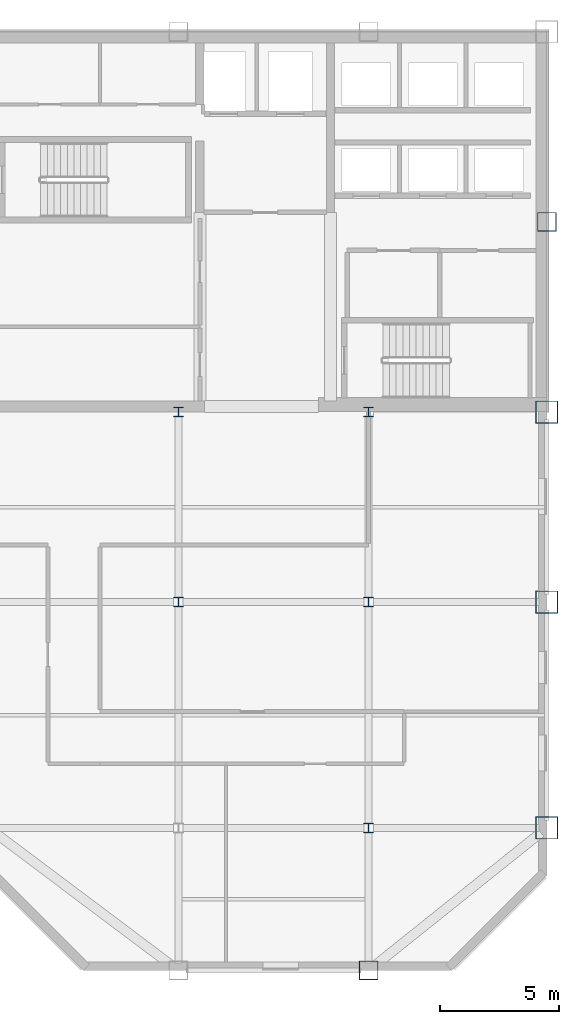
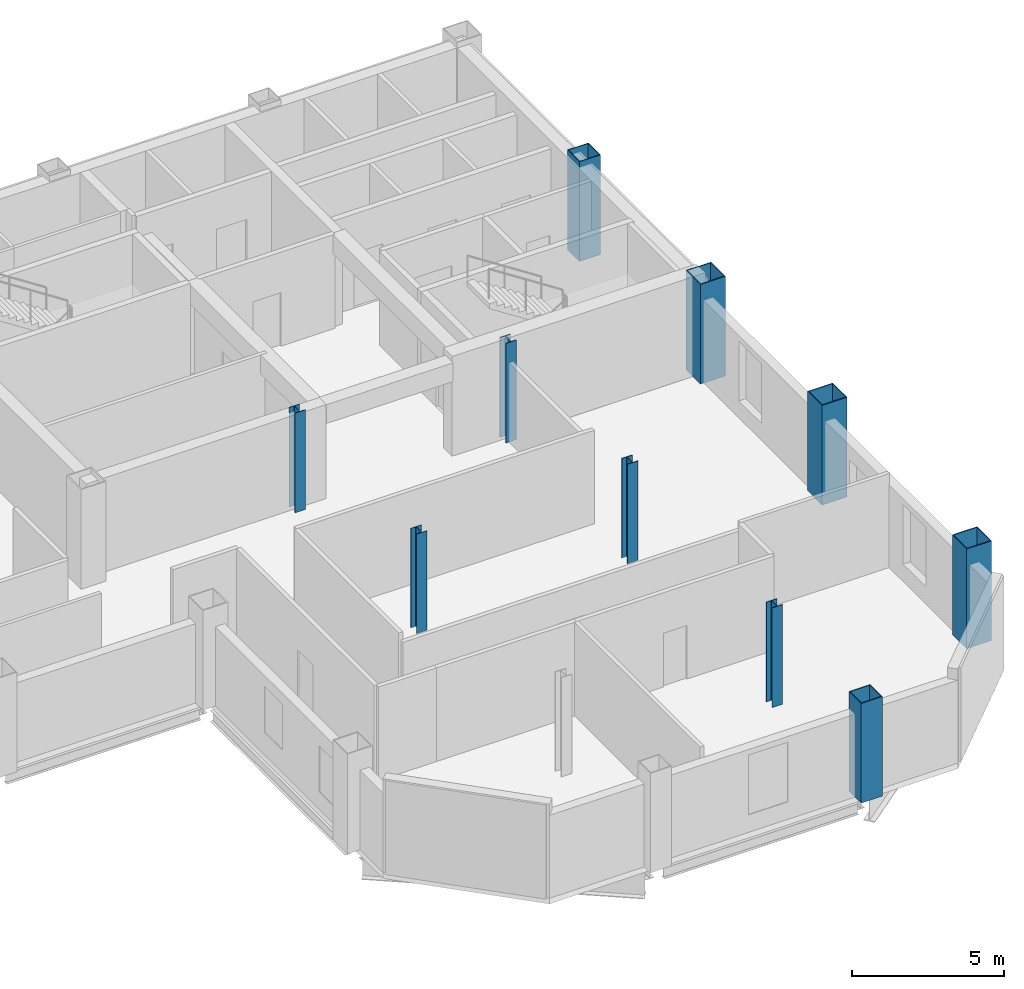
# One storey, part 2 of 10: 10 columns.
"""IFC4 building model written with IfcOpenShell, lengths in metres."""

import ifcopenshell
import ifcopenshell.guid

model = None  # the IFC model being written
_history = None  # IfcOwnerHistory: only IFC2X3 demands one
_inside = {}  # id of a spatial element -> (the spatial element, [elements in it])
_under = {}  # id of a project, library or spatial element -> (it, [spatial elements below it])
_declared = {}  # id of a project -> (the project, [libraries it declares])
_typed = {}  # id of a type object -> (the type object, [elements of that type])
_made_of = {}  # id of a material, layer set ... -> (it, [elements and type objects made of it])


def new_model(schema):
    """Start an empty IFC model of exactly this schema.

    Asked for "IFC4X3", IfcOpenShell would pick the latest addendum, in which some entities
    have other attributes; the version numbers below select the first issue.
    IFC2X3 requires an IfcOwnerHistory on every rooted entity: one is made here for all.
    """
    global model, _history
    if schema == "IFC4X3":
        model = ifcopenshell.file(schema_version=(4, 3, 0, 0))
    else:
        model = ifcopenshell.file(schema=schema)
    _inside.clear()
    _under.clear()
    _declared.clear()
    _typed.clear()
    _made_of.clear()
    _history = None
    if model.schema == "IFC2X3":
        org = make("IfcOrganization", Name="unknown")
        user = make(
            "IfcPersonAndOrganization",
            ThePerson=make("IfcPerson", FamilyName="unknown"),
            TheOrganization=org,
        )
        app = make(
            "IfcApplication",
            ApplicationDeveloper=org,
            Version="unknown",
            ApplicationFullName="unknown",
            ApplicationIdentifier="unknown",
        )
        _history = make(
            "IfcOwnerHistory",
            OwningUser=user,
            OwningApplication=app,
            ChangeAction="ADDED",
            CreationDate=0,
        )
    return model


def make(cls, **values):
    """One entity of the class cls with the attributes given. An attribute that is None is left unset."""
    return model.create_entity(
        cls, **{name: value for name, value in values.items() if value is not None}
    )


def rooted(cls, **values):
    """An entity with a GlobalId (a new one), such as an element, a storey or a relation."""
    return make(cls, GlobalId=ifcopenshell.guid.new(), OwnerHistory=_history, **values)


def si_unit(unit_type, name, prefix=None):
    """IfcSIUnit, for example si_unit("LENGTHUNIT", "METRE", prefix="MILLI")."""
    return make("IfcSIUnit", UnitType=unit_type, Prefix=prefix, Name=name)


def assignment(units):
    """IfcUnitAssignment: the units of a project."""
    return None if units is None else make("IfcUnitAssignment", Units=units)


def point(xyz):
    """IfcCartesianPoint."""
    return None if xyz is None else make("IfcCartesianPoint", Coordinates=xyz)


def direction(xyz):
    """IfcDirection."""
    return None if xyz is None else make("IfcDirection", DirectionRatios=xyz)


def frame(location, z_axis=None, x_axis=None):
    """IfcAxis2Placement3D, a coordinate frame: its origin and axes. An axis left out is left unset."""
    return make(
        "IfcAxis2Placement3D",
        Location=point(location),
        Axis=direction(z_axis),
        RefDirection=direction(x_axis),
    )


def frame_2d(location, x_axis=None):
    """IfcAxis2Placement2D, a coordinate frame in the plane: its origin and x axis."""
    return make(
        "IfcAxis2Placement2D", Location=point(location), RefDirection=direction(x_axis)
    )


def origin():
    """The frame at (0, 0, 0) with its axes left unset."""
    return frame((0.0, 0.0, 0.0))


def origin_2d():
    """The frame at (0, 0) in the plane with its x axis left unset."""
    return frame_2d((0.0, 0.0))


def place(relative_to, where):
    """IfcLocalPlacement: puts the frame where relative to a parent placement (None: the world)."""
    return make(
        "IfcLocalPlacement", PlacementRelTo=relative_to, RelativePlacement=where
    )


def context(
    kind, dimensions, precision=None, world=None, true_north=None, identifier=None
):
    """IfcGeometricRepresentationContext, for example the 3D "Model" context."""
    return make(
        "IfcGeometricRepresentationContext",
        ContextIdentifier=identifier,
        ContextType=kind,
        CoordinateSpaceDimension=dimensions,
        Precision=precision,
        WorldCoordinateSystem=world,
        TrueNorth=true_north,
    )


def subcontext(parent, identifier, kind, view, scale=None):
    """IfcGeometricRepresentationSubContext, for example "Body" below "Model"."""
    return make(
        "IfcGeometricRepresentationSubContext",
        ContextIdentifier=identifier,
        ContextType=kind,
        ParentContext=parent,
        TargetScale=scale,
        TargetView=view,
    )


def project(units=None, contexts=None):
    """IfcProject with its units and contexts."""
    return rooted(
        "IfcProject",
        Name="project",
        RepresentationContexts=contexts,
        UnitsInContext=assignment(units),
    )


def spatial(cls, under=None, at=None, **own):
    """A site, building, storey or space (cls), placed at a placement, below another one or the project."""
    s = rooted(cls, ObjectPlacement=at, **own)
    if under is not None:
        _under.setdefault(under.id(), (under, []))[1].append(s)
    return s


def profile(cls, at=None, kind="AREA", **sizes):
    """A parametric profile (cls). Its sizes go by their IFC names, for example OverallWidth=200.0."""
    return make(cls, ProfileType=kind, Position=at, **sizes)


def hollow_rectangle(**sizes):
    """IfcRectangleHollowProfileDef."""
    return profile("IfcRectangleHollowProfileDef", **sizes)


def i_section(**sizes):
    """IfcIShapeProfileDef."""
    return profile("IfcIShapeProfileDef", **sizes)


def extrude(swept, where, along, depth):
    """IfcExtrudedAreaSolid: the profile swept, set in the frame where, extruded along a direction by depth."""
    return make(
        "IfcExtrudedAreaSolid",
        SweptArea=swept,
        Position=where,
        ExtrudedDirection=direction(along),
        Depth=depth,
    )


def shape(context_of_items, identifier, shape_type, items):
    """IfcShapeRepresentation: the items that make up one representation, for example the "Body"."""
    return make(
        "IfcShapeRepresentation",
        ContextOfItems=context_of_items,
        RepresentationIdentifier=identifier,
        RepresentationType=shape_type,
        Items=items,
    )


def material(Name=None, Category=None):
    """IfcMaterial."""
    return make("IfcMaterial", Name=Name, Category=Category)


def material_profile(
    of_material, cross_section, Name=None, Category=None, Priority=None
):
    """IfcMaterialProfile: a cross section and its material."""
    return make(
        "IfcMaterialProfile",
        Name=Name,
        Material=of_material,
        Profile=cross_section,
        Priority=Priority,
        Category=Category,
    )


def profile_set(profiles, Name=None, composite=None):
    """IfcMaterialProfileSet."""
    return make(
        "IfcMaterialProfileSet",
        Name=Name,
        MaterialProfiles=profiles,
        CompositeProfile=composite,
    )


def made_of(thing, what):
    """Note that an element or type object is made of a material, layer set ...; save() writes the relation."""
    if what is not None:
        _made_of.setdefault(what.id(), (what, []))[1].append(thing)
    return thing


def type_object(cls, material=None, **own):
    """A type object (cls), such as IfcWallType, which elements share."""
    return made_of(rooted(cls, **own), material)


def element(
    cls,
    number,
    at=None,
    inside=None,
    cuts=None,
    type_object=None,
    material=None,
    context=None,
    identifier="Body",
    shape_type=None,
    held_by="IfcProductDefinitionShape",
    body=None,
    shapes=None,
    **own,
):
    """One element of the class cls, such as IfcWall. Its Tag is "e" and its number.

    at: its placement. inside: the storey or other place that contains it. cuts: it is an
    opening in that element (IfcRelVoidsElement). A single representation is given by context,
    identifier, shape_type and body (its items); several are given by shapes. held_by: the class
    of the entity that holds the representations. save() writes the other relations.
    """
    e = rooted(cls, Tag="e%d" % number, ObjectPlacement=at, **own)
    if body is not None:
        shapes = [shape(context, identifier, shape_type, body)]
    if shapes is not None:
        e.Representation = make(held_by, Representations=shapes)
    if inside is not None:
        _inside.setdefault(inside.id(), (inside, []))[1].append(e)
    if cuts is not None:
        rooted(
            "IfcRelVoidsElement", RelatingBuildingElement=cuts, RelatedOpeningElement=e
        )
    if type_object is not None:
        _typed.setdefault(type_object.id(), (type_object, []))[1].append(e)
    return made_of(e, material)


def aggregate(whole, parts):
    """IfcRelAggregates: a whole, such as a stair, and the parts it consists of."""
    return rooted("IfcRelAggregates", RelatingObject=whole, RelatedObjects=parts)


def save(model, path):
    """Write the relations noted so far, then the file.

    IfcRelAggregates (storeys below a building ...), IfcRelContainedInSpatialStructure (elements
    in a storey), IfcRelDefinesByType, IfcRelAssociatesMaterial and IfcRelDeclares: one each for
    every whole, place, type object, material and project.
    """
    for whole, parts in _under.values():
        aggregate(whole, parts)
    for where, things in _inside.values():
        rooted(
            "IfcRelContainedInSpatialStructure",
            RelatedElements=things,
            RelatingStructure=where,
        )
    for kind, things in _typed.values():
        rooted("IfcRelDefinesByType", RelatedObjects=things, RelatingType=kind)
    for what, things in _made_of.values():
        rooted("IfcRelAssociatesMaterial", RelatedObjects=things, RelatingMaterial=what)
    for by, libraries in _declared.values():
        rooted("IfcRelDeclares", RelatingContext=by, RelatedDefinitions=libraries)
    model.write(path)


model = new_model("IFC4")

# Units and contexts
model_context = context("Model", 3, precision=1e-05, world=origin(), true_north=direction((0.0, 1.0)))
body_context = subcontext(model_context, "Body", "Model", "MODEL_VIEW")
ifc_project = project(units=[si_unit("LENGTHUNIT", "METRE"), si_unit("AREAUNIT", "SQUARE_METRE"), si_unit("VOLUMEUNIT", "CUBIC_METRE"), si_unit("PLANEANGLEUNIT", "RADIAN"), si_unit("MASSUNIT", "GRAM", prefix="KILO")], contexts=[model_context])

# Site, building, storey
site_placement = place(None, origin())
site = spatial("IfcSite", under=ifc_project, at=site_placement, CompositionType="ELEMENT")
building_placement = place(site_placement, origin())
building = spatial("IfcBuilding", under=site, at=building_placement, Name="Qianrong Seaharbour Tower", CompositionType="ELEMENT")
storey_placement = place(building_placement, frame((0.0, 0.0, 233.800048828125)))
storey = spatial("IfcBuildingStorey", under=building, at=storey_placement, Name="L56", CompositionType="ELEMENT", Elevation=233.800048828125)

# Columns
ifc_material = material(Name="Structural steel SN490B", Category="steel")
ifc_material_profile_1 = material_profile(ifc_material, hollow_rectangle(XDim=0.949951171875, YDim=0.949951171875, WallThickness=0.035888671875, at=origin_2d()), Name="BOX950x950x36")
ifc_profile_set_1 = profile_set([ifc_material_profile_1], Name="Structural steel SN490B")
column_type_1 = type_object("IfcColumnType", Name="COL-CFT-950", PredefinedType="COLUMN", material=ifc_profile_set_1)
for number, where, z_axis, x_axis, name in (
    (1, (64.0, 18.5, 0.0), (0.0, 0.0, 1.0), (1.0, 0.0, 0.0), "L56 Column MC-4 at G9/GD"),
    (2, (64.0, 28.0, 0.0), (0.0, 0.0, 1.0), (1.0, 0.0, 0.0), "L56 Column MC-4 at G9/GE"),
    (3, (64.0, 36.0, 0.0), (0.0, 0.0, 1.0), (1.0, 0.0, 0.0), "L56 Column MC-4 at G9/GF"),
):
    element("IfcColumn", number, at=place(storey_placement, frame(where, z_axis=z_axis, x_axis=x_axis)), inside=storey, type_object=column_type_1, Name=name, PredefinedType="COLUMN", context=body_context, shape_type="SweptSolid", body=[
        extrude(hollow_rectangle(XDim=0.949951171875, YDim=0.949951171875, WallThickness=0.035888671875, at=origin_2d()), origin(), (0.0, 0.0, 1.0), 4.0),
    ])
ifc_material_profile_2 = material_profile(ifc_material, i_section(OverallWidth=0.39990234375, OverallDepth=0.39990234375, WebThickness=0.012939453125, FlangeThickness=0.02099609375, FilletRadius=0.02197265625, at=origin_2d()), Name="H400x400x13x21")
ifc_profile_set_2 = profile_set([ifc_material_profile_2], Name="Structural steel SN490B")
column_type_2 = type_object("IfcColumnType", Name="COL-INT-H400", PredefinedType="COLUMN", material=ifc_profile_set_2)
for number, where, z_axis, x_axis, name in (
    (4, (48.5, 28.0, 0.0), (0.0, 0.0, 1.0), (1.0, 0.0, 0.0), "L56 Column IC-3 at G7/GE"),
    (5, (48.5, 36.0, 0.0), (0.0, 0.0, 1.0), (1.0, 0.0, 0.0), "L56 Column IC-3 at G7/GF"),
    (6, (56.5, 18.5, 0.0), (0.0, 0.0, 1.0), (1.0, 0.0, 0.0), "L56 Column IC-3 at G8/GD"),
    (7, (56.5, 28.0, 0.0), (0.0, 0.0, 1.0), (1.0, 0.0, 0.0), "L56 Column IC-3 at G8/GE"),
    (8, (56.5, 36.0, 0.0), (0.0, 0.0, 1.0), (1.0, 0.0, 0.0), "L56 Column IC-3 at G8/GF"),
):
    element("IfcColumn", number, at=place(storey_placement, frame(where, z_axis=z_axis, x_axis=x_axis)), inside=storey, type_object=column_type_2, Name=name, PredefinedType="COLUMN", context=body_context, shape_type="SweptSolid", body=[
        extrude(i_section(OverallWidth=0.39990234375, OverallDepth=0.39990234375, WebThickness=0.012939453125, FlangeThickness=0.02099609375, FilletRadius=0.02197265625, at=origin_2d()), origin(), (0.0, 0.0, 1.0), 4.0),
    ])
ifc_material_profile_3 = material_profile(ifc_material, hollow_rectangle(XDim=0.800048828125, YDim=0.800048828125, WallThickness=0.031982421875, at=origin_2d()), Name="BOX800x800x32")
ifc_profile_set_3 = profile_set([ifc_material_profile_3], Name="Structural steel SN490B")
column_type_3 = type_object("IfcColumnType", Name="COL-PER-800", PredefinedType="COLUMN", material=ifc_profile_set_3)
for number, where, z_axis, x_axis, name in (
    (9, (56.5, 12.5, 0.0), (0.0, 0.0, 1.0), (1.0, 0.0, 0.0), "L56 Column PC-3 at G8/GC"),
    (10, (64.0, 44.0, 0.0), (0.0, 0.0, 1.0), (1.0, 0.0, 0.0), "L56 Column PC-3 at G9/GG"),
):
    element("IfcColumn", number, at=place(storey_placement, frame(where, z_axis=z_axis, x_axis=x_axis)), inside=storey, type_object=column_type_3, Name=name, PredefinedType="COLUMN", context=body_context, shape_type="SweptSolid", body=[
        extrude(hollow_rectangle(XDim=0.800048828125, YDim=0.800048828125, WallThickness=0.031982421875, at=origin_2d()), origin(), (0.0, 0.0, 1.0), 4.0),
    ])

save(model, "model.ifc")
